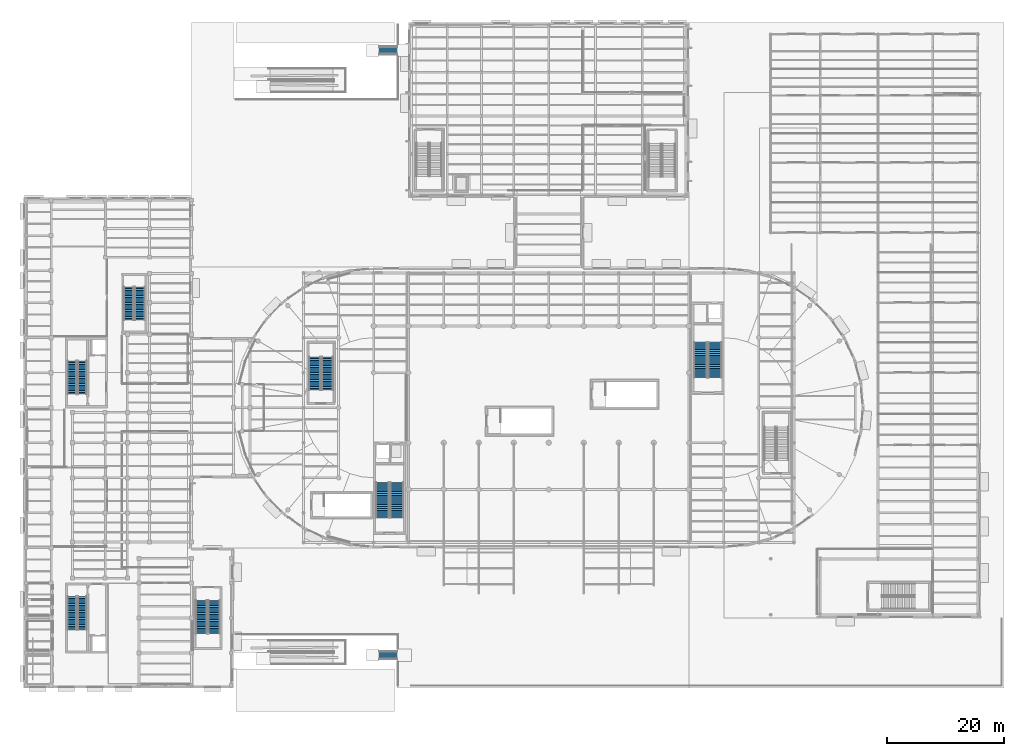
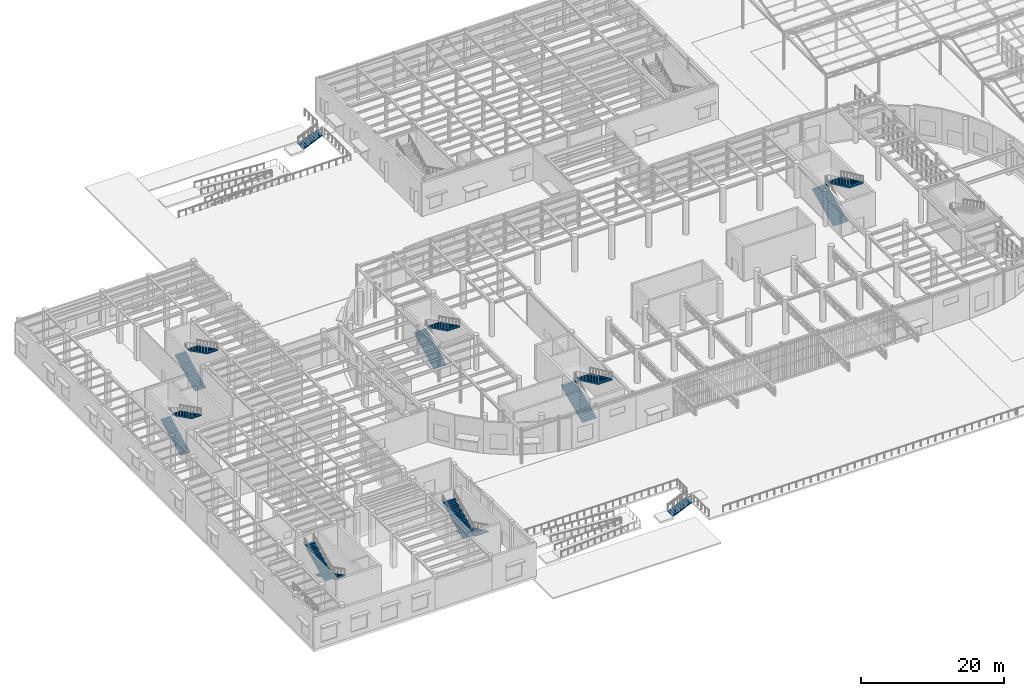
# One storey, part 97 of 118: 16 stair flights, 9 elements without a shape of their own.
"""IFC4 building model written with IfcOpenShell, lengths in metres."""

from ifc_helpers import new_model, si_unit, direction, frame, origin, place, context, subcontext, project, spatial, polyline, outline, extrude, material, type_object, element, aggregate, save


model = new_model("IFC4")

# Units and contexts
model_context = context("Model", 3, precision=1e-05, world=origin(), true_north=direction((0.0, 1.0)))
body_context = subcontext(model_context, "Body", "Model", "MODEL_VIEW")
ifc_project = project(units=[si_unit("LENGTHUNIT", "METRE"), si_unit("AREAUNIT", "SQUARE_METRE"), si_unit("VOLUMEUNIT", "CUBIC_METRE"), si_unit("PLANEANGLEUNIT", "RADIAN"), si_unit("MASSUNIT", "GRAM", prefix="KILO")], contexts=[model_context])

# Site, building, storey
site_placement = place(None, origin())
site = spatial("IfcSite", under=ifc_project, at=site_placement, CompositionType="ELEMENT")
building_placement = place(site_placement, origin())
building = spatial("IfcBuilding", under=site, at=building_placement, Name="Kolvaren Corner Interchange", CompositionType="ELEMENT")
storey_placement = place(building_placement, origin())
storey = spatial("IfcBuildingStorey", under=building, at=storey_placement, Name="L01", CompositionType="ELEMENT", Elevation=0.0)

# Stair, stair flight
ifc_material_1 = material(Name="Concrete C35/45", Category="concrete")
stair_type_1 = type_object("IfcStairType", Name="ST-CIV-1500", PredefinedType="STRAIGHT_RUN_STAIR", material=ifc_material_1)
stair_1_placement = place(storey_placement, origin())
stair_1 = element("IfcStair", 1, at=stair_1_placement, inside=storey, type_object=stair_type_1, Name="Southwest Forecourt Civic Plinth Steps", PredefinedType="STRAIGHT_RUN_STAIR")
ifc_material_2 = material(Name="Concrete C35/45", Category="concrete")
stair_flight_type_1 = type_object("IfcStairFlightType", Name="SFT-CIV-1500", PredefinedType="STRAIGHT", material=ifc_material_2)
stair_flight_1_placement = place(storey_placement, frame((60.93994140625, 5.60009765625, -1.5), z_axis=(0.0, 0.0, 1.0), x_axis=(1.0, 0.0, 0.0)))
stair_flight_1 = element("IfcStairFlight", 2, at=stair_flight_1_placement, type_object=stair_flight_type_1, Name="Southwest Forecourt Civic Plinth Steps Flight", NumberOfRisers=10, NumberOfTreads=9, PredefinedType="STRAIGHT", RiserHeight=0.15, TreadLength=0.34, context=body_context, shape_type="SweptSolid", body=[
    extrude(outline(polyline([(0.0, 0.0), (0.0, 0.14990234375), (0.340087890625, 0.14990234375), (0.340087890625, 0.300048828125), (0.679931640625, 0.300048828125), (0.679931640625, 0.449951171875), (1.02001953125, 0.449951171875), (1.02001953125, 0.60009765625), (1.360107421875, 0.60009765625), (1.360107421875, 0.75), (1.699951171875, 0.75), (1.699951171875, 0.89990234375), (2.0400390625, 0.89990234375), (2.0400390625, 1.050048828125), (2.3798828125, 1.050048828125), (2.3798828125, 1.199951171875), (2.719970703125, 1.199951171875), (2.719970703125, 1.35009765625), (3.06005859375, 1.35009765625), (3.06005859375, 1.5), (3.06005859375, 1.262451171875), (0.198486328125, 0.0), (0.0, 0.0)])), frame((0.0, 0.75, 0.0), z_axis=(0.0, -1.0, 0.0), x_axis=(1.0, 0.0, 0.0)), (0.0, 0.0, 1.0), 1.5),
])
aggregate(stair_1, [stair_flight_1])

stair_2_placement = place(storey_placement, origin())
stair_2 = element("IfcStair", 3, at=stair_2_placement, inside=storey, type_object=stair_type_1, Name="Northwest Cycle Hub Civic Plinth Steps", PredefinedType="STRAIGHT_RUN_STAIR")
stair_flight_2_placement = place(storey_placement, frame((60.93994140625, 109.199951171875, -1.5), z_axis=(0.0, 0.0, 1.0), x_axis=(1.0, 0.0, 0.0)))
stair_flight_2 = element("IfcStairFlight", 4, at=stair_flight_2_placement, type_object=stair_flight_type_1, Name="Northwest Cycle Hub Civic Plinth Steps Flight", NumberOfRisers=10, NumberOfTreads=9, PredefinedType="STRAIGHT", RiserHeight=0.15, TreadLength=0.34, context=body_context, shape_type="SweptSolid", body=[
    extrude(outline(polyline([(0.0, 0.0), (0.0, 0.14990234375), (0.340087890625, 0.14990234375), (0.340087890625, 0.300048828125), (0.679931640625, 0.300048828125), (0.679931640625, 0.449951171875), (1.02001953125, 0.449951171875), (1.02001953125, 0.60009765625), (1.360107421875, 0.60009765625), (1.360107421875, 0.75), (1.699951171875, 0.75), (1.699951171875, 0.89990234375), (2.0400390625, 0.89990234375), (2.0400390625, 1.050048828125), (2.3798828125, 1.050048828125), (2.3798828125, 1.199951171875), (2.719970703125, 1.199951171875), (2.719970703125, 1.35009765625), (3.06005859375, 1.35009765625), (3.06005859375, 1.5), (3.06005859375, 1.262451171875), (0.198486328125, 0.0), (0.0, 0.0)])), frame((0.0, 0.75, 0.0), z_axis=(0.0, -1.0, 0.0), x_axis=(1.0, 0.0, 0.0)), (0.0, 0.0, 1.0), 1.5),
])
aggregate(stair_2, [stair_flight_2])

# Stair, stair flights
ifc_material_3 = material(Name="Concrete C35/45", Category="concrete")
stair_type_2 = type_object("IfcStairType", Name="ST-FF-1550", PredefinedType="HALF_TURN_STAIR", material=ifc_material_3)
stair_3_placement = place(storey_placement, origin())
stair_3 = element("IfcStair", 5, at=stair_3_placement, inside=storey, type_object=stair_type_2, Name="Core C1 Southwest Firefighting Stair L01 to L02 Stair", PredefinedType="HALF_TURN_STAIR")
ifc_material_4 = material(Name="Concrete C35/45", Category="concrete")
stair_flight_type_2 = type_object("IfcStairFlightType", Name="SFT-FF-1550", PredefinedType="STRAIGHT", material=ifc_material_4)
stair_flight_3_placement = place(storey_placement, frame((10.074951171875, 15.64990234375, 0.0), z_axis=(0.0, 0.0, 1.0), x_axis=(0.0, -1.0, 0.0)))
stair_flight_3 = element("IfcStairFlight", 6, at=stair_flight_3_placement, type_object=stair_flight_type_2, Name="Core C1 Southwest Firefighting Stair L01 Lower Flight", NumberOfRisers=20, NumberOfTreads=19, PredefinedType="STRAIGHT", RiserHeight=0.15, TreadLength=0.3, context=body_context, shape_type="SweptSolid", body=[
    extrude(outline(polyline([(0.0, 0.0), (0.0, 0.14990234375), (0.300048828125, 0.14990234375), (0.300048828125, 0.300048828125), (0.60009765625, 0.300048828125), (0.60009765625, 0.449951171875), (0.89990234375, 0.449951171875), (0.89990234375, 0.60009765625), (1.199951171875, 0.60009765625), (1.199951171875, 0.75), (1.5, 0.75), (1.5, 0.89990234375), (1.800048828125, 0.89990234375), (1.800048828125, 1.050048828125), (2.10009765625, 1.050048828125), (2.10009765625, 1.199951171875), (2.39990234375, 1.199951171875), (2.39990234375, 1.35009765625), (2.699951171875, 1.35009765625), (2.699951171875, 1.5), (3.0, 1.5), (3.0, 1.64990234375), (3.300048828125, 1.64990234375), (3.300048828125, 1.800048828125), (3.60009765625, 1.800048828125), (3.60009765625, 1.949951171875), (3.89990234375, 1.949951171875), (3.89990234375, 2.10009765625), (4.199951171875, 2.10009765625), (4.199951171875, 2.25), (4.5, 2.25), (4.5, 2.39990234375), (4.800048828125, 2.39990234375), (4.800048828125, 2.550048828125), (5.10009765625, 2.550048828125), (5.10009765625, 2.699951171875), (5.39990234375, 2.699951171875), (5.39990234375, 2.85009765625), (5.699951171875, 2.85009765625), (5.699951171875, 3.0), (5.699951171875, 2.671142578125), (0.357666015625, 0.0), (0.0, 0.0)])), frame((0.0, 0.77490234375, 0.0), z_axis=(0.0, -1.0, 0.0), x_axis=(1.0, 0.0, 0.0)), (0.0, 0.0, 1.0), 1.550048828125),
])
stair_flight_4_placement = place(storey_placement, frame((8.324951171875, 9.949951171875, 3.0), z_axis=(0.0, 0.0, 1.0), x_axis=(0.0, 1.0, 0.0)))
stair_flight_4 = element("IfcStairFlight", 7, at=stair_flight_4_placement, type_object=stair_flight_type_2, Name="Core C1 Southwest Firefighting Stair L01 Upper Flight", NumberOfRisers=20, NumberOfTreads=19, PredefinedType="STRAIGHT", RiserHeight=0.15, TreadLength=0.3, context=body_context, shape_type="SweptSolid", body=[
    extrude(outline(polyline([(0.0, 0.0), (0.0, 0.14990234375), (0.300048828125, 0.14990234375), (0.300048828125, 0.300048828125), (0.60009765625, 0.300048828125), (0.60009765625, 0.449951171875), (0.89990234375, 0.449951171875), (0.89990234375, 0.60009765625), (1.199951171875, 0.60009765625), (1.199951171875, 0.75), (1.5, 0.75), (1.5, 0.89990234375), (1.800048828125, 0.89990234375), (1.800048828125, 1.050048828125), (2.10009765625, 1.050048828125), (2.10009765625, 1.199951171875), (2.39990234375, 1.199951171875), (2.39990234375, 1.35009765625), (2.699951171875, 1.35009765625), (2.699951171875, 1.5), (3.0, 1.5), (3.0, 1.64990234375), (3.300048828125, 1.64990234375), (3.300048828125, 1.800048828125), (3.60009765625, 1.800048828125), (3.60009765625, 1.949951171875), (3.89990234375, 1.949951171875), (3.89990234375, 2.10009765625), (4.199951171875, 2.10009765625), (4.199951171875, 2.25), (4.5, 2.25), (4.5, 2.39990234375), (4.800048828125, 2.39990234375), (4.800048828125, 2.550048828125), (5.10009765625, 2.550048828125), (5.10009765625, 2.699951171875), (5.39990234375, 2.699951171875), (5.39990234375, 2.85009765625), (5.699951171875, 2.85009765625), (5.699951171875, 3.0), (5.699951171875, 2.671142578125), (0.357666015625, 0.0), (0.0, 0.0)])), frame((0.0, 0.77490234375, 0.0), z_axis=(0.0, -1.0, 0.0), x_axis=(1.0, 0.0, 0.0)), (0.0, 0.0, 1.0), 1.550048828125),
])
aggregate(stair_3, [stair_flight_3, stair_flight_4])

stair_4_placement = place(storey_placement, origin())
stair_4 = element("IfcStair", 8, at=stair_4_placement, inside=storey, type_object=stair_type_2, Name="Core C2 Northwest Firefighting Stair L01 to L02 Stair", PredefinedType="HALF_TURN_STAIR")
stair_flight_5_placement = place(storey_placement, frame((8.324951171875, 50.35009765625, 0.0), z_axis=(0.0, 0.0, 1.0), x_axis=(0.0, 1.0, 0.0)))
stair_flight_5 = element("IfcStairFlight", 9, at=stair_flight_5_placement, type_object=stair_flight_type_2, Name="Core C2 Northwest Firefighting Stair L01 Lower Flight", NumberOfRisers=20, NumberOfTreads=19, PredefinedType="STRAIGHT", RiserHeight=0.15, TreadLength=0.3, context=body_context, shape_type="SweptSolid", body=[
    extrude(outline(polyline([(0.0, 0.0), (0.0, 0.14990234375), (0.300048828125, 0.14990234375), (0.300048828125, 0.300048828125), (0.60009765625, 0.300048828125), (0.60009765625, 0.449951171875), (0.89990234375, 0.449951171875), (0.89990234375, 0.60009765625), (1.199951171875, 0.60009765625), (1.199951171875, 0.75), (1.5, 0.75), (1.5, 0.89990234375), (1.800048828125, 0.89990234375), (1.800048828125, 1.050048828125), (2.10009765625, 1.050048828125), (2.10009765625, 1.199951171875), (2.39990234375, 1.199951171875), (2.39990234375, 1.35009765625), (2.699951171875, 1.35009765625), (2.699951171875, 1.5), (3.0, 1.5), (3.0, 1.64990234375), (3.300048828125, 1.64990234375), (3.300048828125, 1.800048828125), (3.60009765625, 1.800048828125), (3.60009765625, 1.949951171875), (3.89990234375, 1.949951171875), (3.89990234375, 2.10009765625), (4.199951171875, 2.10009765625), (4.199951171875, 2.25), (4.5, 2.25), (4.5, 2.39990234375), (4.800048828125, 2.39990234375), (4.800048828125, 2.550048828125), (5.10009765625, 2.550048828125), (5.10009765625, 2.699951171875), (5.39990234375, 2.699951171875), (5.39990234375, 2.85009765625), (5.699951171875, 2.85009765625), (5.699951171875, 3.0), (5.699951171875, 2.671142578125), (0.357666015625, 0.0), (0.0, 0.0)])), frame((0.0, 0.77490234375, 0.0), z_axis=(0.0, -1.0, 0.0), x_axis=(1.0, 0.0, 0.0)), (0.0, 0.0, 1.0), 1.550048828125),
])
stair_flight_6_placement = place(storey_placement, frame((10.074951171875, 56.050048828125, 3.0), z_axis=(0.0, 0.0, 1.0), x_axis=(0.0, -1.0, 0.0)))
stair_flight_6 = element("IfcStairFlight", 10, at=stair_flight_6_placement, type_object=stair_flight_type_2, Name="Core C2 Northwest Firefighting Stair L01 Upper Flight", NumberOfRisers=20, NumberOfTreads=19, PredefinedType="STRAIGHT", RiserHeight=0.15, TreadLength=0.3, context=body_context, shape_type="SweptSolid", body=[
    extrude(outline(polyline([(0.0, 0.0), (0.0, 0.14990234375), (0.300048828125, 0.14990234375), (0.300048828125, 0.300048828125), (0.60009765625, 0.300048828125), (0.60009765625, 0.449951171875), (0.89990234375, 0.449951171875), (0.89990234375, 0.60009765625), (1.199951171875, 0.60009765625), (1.199951171875, 0.75), (1.5, 0.75), (1.5, 0.89990234375), (1.800048828125, 0.89990234375), (1.800048828125, 1.050048828125), (2.10009765625, 1.050048828125), (2.10009765625, 1.199951171875), (2.39990234375, 1.199951171875), (2.39990234375, 1.35009765625), (2.699951171875, 1.35009765625), (2.699951171875, 1.5), (3.0, 1.5), (3.0, 1.64990234375), (3.300048828125, 1.64990234375), (3.300048828125, 1.800048828125), (3.60009765625, 1.800048828125), (3.60009765625, 1.949951171875), (3.89990234375, 1.949951171875), (3.89990234375, 2.10009765625), (4.199951171875, 2.10009765625), (4.199951171875, 2.25), (4.5, 2.25), (4.5, 2.39990234375), (4.800048828125, 2.39990234375), (4.800048828125, 2.550048828125), (5.10009765625, 2.550048828125), (5.10009765625, 2.699951171875), (5.39990234375, 2.699951171875), (5.39990234375, 2.85009765625), (5.699951171875, 2.85009765625), (5.699951171875, 3.0), (5.699951171875, 2.671142578125), (0.357666015625, 0.0), (0.0, 0.0)])), frame((0.0, 0.77490234375, 0.0), z_axis=(0.0, -1.0, 0.0), x_axis=(1.0, 0.0, 0.0)), (0.0, 0.0, 1.0), 1.550048828125),
])
aggregate(stair_4, [stair_flight_5, stair_flight_6])

ifc_material_5 = material(Name="Concrete C35/45", Category="concrete")
stair_type_3 = type_object("IfcStairType", Name="ST-GL-2000", PredefinedType="HALF_TURN_STAIR", material=ifc_material_5)
stair_5_placement = place(storey_placement, origin())
stair_5 = element("IfcStair", 11, at=stair_5_placement, inside=storey, type_object=stair_type_3, Name="West Racetrack Concourse Gallery Stair L01 to L02 Stair", PredefinedType="HALF_TURN_STAIR")
ifc_material_6 = material(Name="Concrete C35/45", Category="concrete")
stair_flight_type_3 = type_object("IfcStairFlightType", Name="SFT-GL-2000", PredefinedType="STRAIGHT", material=ifc_material_6)
stair_flight_7_placement = place(storey_placement, frame((49.89990234375, 51.0, 0.0), z_axis=(0.0, 0.0, 1.0), x_axis=(0.0, 1.0, 0.0)))
stair_flight_7 = element("IfcStairFlight", 12, at=stair_flight_7_placement, type_object=stair_flight_type_3, Name="West Racetrack Concourse Gallery Stair L01 Lower Flight", NumberOfRisers=20, NumberOfTreads=19, PredefinedType="STRAIGHT", RiserHeight=0.15, TreadLength=0.3, context=body_context, shape_type="SweptSolid", body=[
    extrude(outline(polyline([(0.0, 0.0), (0.0, 0.14990234375), (0.300048828125, 0.14990234375), (0.300048828125, 0.300048828125), (0.60009765625, 0.300048828125), (0.60009765625, 0.449951171875), (0.89990234375, 0.449951171875), (0.89990234375, 0.60009765625), (1.199951171875, 0.60009765625), (1.199951171875, 0.75), (1.5, 0.75), (1.5, 0.89990234375), (1.800048828125, 0.89990234375), (1.800048828125, 1.050048828125), (2.10009765625, 1.050048828125), (2.10009765625, 1.199951171875), (2.39990234375, 1.199951171875), (2.39990234375, 1.35009765625), (2.699951171875, 1.35009765625), (2.699951171875, 1.5), (3.0, 1.5), (3.0, 1.64990234375), (3.300048828125, 1.64990234375), (3.300048828125, 1.800048828125), (3.60009765625, 1.800048828125), (3.60009765625, 1.949951171875), (3.89990234375, 1.949951171875), (3.89990234375, 2.10009765625), (4.199951171875, 2.10009765625), (4.199951171875, 2.25), (4.5, 2.25), (4.5, 2.39990234375), (4.800048828125, 2.39990234375), (4.800048828125, 2.550048828125), (5.10009765625, 2.550048828125), (5.10009765625, 2.699951171875), (5.39990234375, 2.699951171875), (5.39990234375, 2.85009765625), (5.699951171875, 2.85009765625), (5.699951171875, 3.0), (5.699951171875, 2.659912109375), (0.3798828125, 0.0), (0.0, 0.0)])), frame((0.0, 1.0, 0.0), z_axis=(0.0, -1.0, 0.0), x_axis=(1.0, 0.0, 0.0)), (0.0, 0.0, 1.0), 2.0),
])
stair_flight_8_placement = place(storey_placement, frame((52.10009765625, 56.699951171875, 3.0), z_axis=(0.0, 0.0, 1.0), x_axis=(0.0, -1.0, 0.0)))
stair_flight_8 = element("IfcStairFlight", 13, at=stair_flight_8_placement, type_object=stair_flight_type_3, Name="West Racetrack Concourse Gallery Stair L01 Upper Flight", NumberOfRisers=20, NumberOfTreads=19, PredefinedType="STRAIGHT", RiserHeight=0.15, TreadLength=0.3, context=body_context, shape_type="SweptSolid", body=[
    extrude(outline(polyline([(0.0, 0.0), (0.0, 0.14990234375), (0.300048828125, 0.14990234375), (0.300048828125, 0.300048828125), (0.60009765625, 0.300048828125), (0.60009765625, 0.449951171875), (0.89990234375, 0.449951171875), (0.89990234375, 0.60009765625), (1.199951171875, 0.60009765625), (1.199951171875, 0.75), (1.5, 0.75), (1.5, 0.89990234375), (1.800048828125, 0.89990234375), (1.800048828125, 1.050048828125), (2.10009765625, 1.050048828125), (2.10009765625, 1.199951171875), (2.39990234375, 1.199951171875), (2.39990234375, 1.35009765625), (2.699951171875, 1.35009765625), (2.699951171875, 1.5), (3.0, 1.5), (3.0, 1.64990234375), (3.300048828125, 1.64990234375), (3.300048828125, 1.800048828125), (3.60009765625, 1.800048828125), (3.60009765625, 1.949951171875), (3.89990234375, 1.949951171875), (3.89990234375, 2.10009765625), (4.199951171875, 2.10009765625), (4.199951171875, 2.25), (4.5, 2.25), (4.5, 2.39990234375), (4.800048828125, 2.39990234375), (4.800048828125, 2.550048828125), (5.10009765625, 2.550048828125), (5.10009765625, 2.699951171875), (5.39990234375, 2.699951171875), (5.39990234375, 2.85009765625), (5.699951171875, 2.85009765625), (5.699951171875, 3.0), (5.699951171875, 2.659912109375), (0.3798828125, 0.0), (0.0, 0.0)])), frame((0.0, 1.0, 0.0), z_axis=(0.0, -1.0, 0.0), x_axis=(1.0, 0.0, 0.0)), (0.0, 0.0, 1.0), 2.0),
])
aggregate(stair_5, [stair_flight_7, stair_flight_8])

stair_6_placement = place(storey_placement, origin())
stair_6 = element("IfcStair", 14, at=stair_6_placement, inside=storey, type_object=stair_type_3, Name="Operations South Bar Protected Exit Stair L01 to L02 Stair", PredefinedType="HALF_TURN_STAIR")
stair_flight_9_placement = place(storey_placement, frame((32.699951171875, 15.0, 0.0), z_axis=(0.0, 0.0, 1.0), x_axis=(0.0, -1.0, 0.0)))
stair_flight_9 = element("IfcStairFlight", 15, at=stair_flight_9_placement, type_object=stair_flight_type_3, Name="Operations South Bar Protected Exit Stair L01 Lower Flight", NumberOfRisers=20, NumberOfTreads=19, PredefinedType="STRAIGHT", RiserHeight=0.15, TreadLength=0.3, context=body_context, shape_type="SweptSolid", body=[
    extrude(outline(polyline([(0.0, 0.0), (0.0, 0.14990234375), (0.300048828125, 0.14990234375), (0.300048828125, 0.300048828125), (0.60009765625, 0.300048828125), (0.60009765625, 0.449951171875), (0.89990234375, 0.449951171875), (0.89990234375, 0.60009765625), (1.199951171875, 0.60009765625), (1.199951171875, 0.75), (1.5, 0.75), (1.5, 0.89990234375), (1.800048828125, 0.89990234375), (1.800048828125, 1.050048828125), (2.10009765625, 1.050048828125), (2.10009765625, 1.199951171875), (2.39990234375, 1.199951171875), (2.39990234375, 1.35009765625), (2.699951171875, 1.35009765625), (2.699951171875, 1.5), (3.0, 1.5), (3.0, 1.64990234375), (3.300048828125, 1.64990234375), (3.300048828125, 1.800048828125), (3.60009765625, 1.800048828125), (3.60009765625, 1.949951171875), (3.89990234375, 1.949951171875), (3.89990234375, 2.10009765625), (4.199951171875, 2.10009765625), (4.199951171875, 2.25), (4.5, 2.25), (4.5, 2.39990234375), (4.800048828125, 2.39990234375), (4.800048828125, 2.550048828125), (5.10009765625, 2.550048828125), (5.10009765625, 2.699951171875), (5.39990234375, 2.699951171875), (5.39990234375, 2.85009765625), (5.699951171875, 2.85009765625), (5.699951171875, 3.0), (5.699951171875, 2.659912109375), (0.3798828125, 0.0), (0.0, 0.0)])), frame((0.0, 1.0, 0.0), z_axis=(0.0, -1.0, 0.0), x_axis=(1.0, 0.0, 0.0)), (0.0, 0.0, 1.0), 2.0),
])
stair_flight_10_placement = place(storey_placement, frame((30.5, 9.300048828125, 3.0), z_axis=(0.0, 0.0, 1.0), x_axis=(0.0, 1.0, 0.0)))
stair_flight_10 = element("IfcStairFlight", 16, at=stair_flight_10_placement, type_object=stair_flight_type_3, Name="Operations South Bar Protected Exit Stair L01 Upper Flight", NumberOfRisers=20, NumberOfTreads=19, PredefinedType="STRAIGHT", RiserHeight=0.15, TreadLength=0.3, context=body_context, shape_type="SweptSolid", body=[
    extrude(outline(polyline([(0.0, 0.0), (0.0, 0.14990234375), (0.300048828125, 0.14990234375), (0.300048828125, 0.300048828125), (0.60009765625, 0.300048828125), (0.60009765625, 0.449951171875), (0.89990234375, 0.449951171875), (0.89990234375, 0.60009765625), (1.199951171875, 0.60009765625), (1.199951171875, 0.75), (1.5, 0.75), (1.5, 0.89990234375), (1.800048828125, 0.89990234375), (1.800048828125, 1.050048828125), (2.10009765625, 1.050048828125), (2.10009765625, 1.199951171875), (2.39990234375, 1.199951171875), (2.39990234375, 1.35009765625), (2.699951171875, 1.35009765625), (2.699951171875, 1.5), (3.0, 1.5), (3.0, 1.64990234375), (3.300048828125, 1.64990234375), (3.300048828125, 1.800048828125), (3.60009765625, 1.800048828125), (3.60009765625, 1.949951171875), (3.89990234375, 1.949951171875), (3.89990234375, 2.10009765625), (4.199951171875, 2.10009765625), (4.199951171875, 2.25), (4.5, 2.25), (4.5, 2.39990234375), (4.800048828125, 2.39990234375), (4.800048828125, 2.550048828125), (5.10009765625, 2.550048828125), (5.10009765625, 2.699951171875), (5.39990234375, 2.699951171875), (5.39990234375, 2.85009765625), (5.699951171875, 2.85009765625), (5.699951171875, 3.0), (5.699951171875, 2.659912109375), (0.3798828125, 0.0), (0.0, 0.0)])), frame((0.0, 1.0, 0.0), z_axis=(0.0, -1.0, 0.0), x_axis=(1.0, 0.0, 0.0)), (0.0, 0.0, 1.0), 2.0),
])
aggregate(stair_6, [stair_flight_9, stair_flight_10])

ifc_material_7 = material(Name="Concrete C35/45", Category="concrete")
stair_type_4 = type_object("IfcStairType", Name="ST-OP-1750", PredefinedType="HALF_TURN_STAIR", material=ifc_material_7)
stair_7_placement = place(storey_placement, origin())
stair_7 = element("IfcStair", 17, at=stair_7_placement, inside=storey, type_object=stair_type_4, Name="Operations North Wing Protected Exit Stair L01 to L02 Stair", PredefinedType="HALF_TURN_STAIR")
ifc_material_8 = material(Name="Concrete C35/45", Category="concrete")
stair_flight_type_4 = type_object("IfcStairFlightType", Name="SFT-OP-1750", PredefinedType="STRAIGHT", material=ifc_material_8)
stair_flight_11_placement = place(storey_placement, frame((18.02490234375, 63.0, 0.0), z_axis=(0.0, 0.0, 1.0), x_axis=(0.0, 1.0, 0.0)))
stair_flight_11 = element("IfcStairFlight", 18, at=stair_flight_11_placement, type_object=stair_flight_type_4, Name="Operations North Wing Protected Exit Stair L01 Lower Flight", NumberOfRisers=20, NumberOfTreads=19, PredefinedType="STRAIGHT", RiserHeight=0.15, TreadLength=0.3, context=body_context, shape_type="SweptSolid", body=[
    extrude(outline(polyline([(0.0, 0.0), (0.0, 0.14990234375), (0.300048828125, 0.14990234375), (0.300048828125, 0.300048828125), (0.60009765625, 0.300048828125), (0.60009765625, 0.449951171875), (0.89990234375, 0.449951171875), (0.89990234375, 0.60009765625), (1.199951171875, 0.60009765625), (1.199951171875, 0.75), (1.5, 0.75), (1.5, 0.89990234375), (1.800048828125, 0.89990234375), (1.800048828125, 1.050048828125), (2.10009765625, 1.050048828125), (2.10009765625, 1.199951171875), (2.39990234375, 1.199951171875), (2.39990234375, 1.35009765625), (2.699951171875, 1.35009765625), (2.699951171875, 1.5), (3.0, 1.5), (3.0, 1.64990234375), (3.300048828125, 1.64990234375), (3.300048828125, 1.800048828125), (3.60009765625, 1.800048828125), (3.60009765625, 1.949951171875), (3.89990234375, 1.949951171875), (3.89990234375, 2.10009765625), (4.199951171875, 2.10009765625), (4.199951171875, 2.25), (4.5, 2.25), (4.5, 2.39990234375), (4.800048828125, 2.39990234375), (4.800048828125, 2.550048828125), (5.10009765625, 2.550048828125), (5.10009765625, 2.699951171875), (5.39990234375, 2.699951171875), (5.39990234375, 2.85009765625), (5.699951171875, 2.85009765625), (5.699951171875, 3.0), (5.699951171875, 2.671142578125), (0.357666015625, 0.0), (0.0, 0.0)])), frame((0.0, 0.875, 0.0), z_axis=(0.0, -1.0, 0.0), x_axis=(1.0, 0.0, 0.0)), (0.0, 0.0, 1.0), 1.75),
])
stair_flight_12_placement = place(storey_placement, frame((19.97509765625, 68.699951171875, 3.0), z_axis=(0.0, 0.0, 1.0), x_axis=(0.0, -1.0, 0.0)))
stair_flight_12 = element("IfcStairFlight", 19, at=stair_flight_12_placement, type_object=stair_flight_type_4, Name="Operations North Wing Protected Exit Stair L01 Upper Flight", NumberOfRisers=20, NumberOfTreads=19, PredefinedType="STRAIGHT", RiserHeight=0.15, TreadLength=0.3, context=body_context, shape_type="SweptSolid", body=[
    extrude(outline(polyline([(0.0, 0.0), (0.0, 0.14990234375), (0.300048828125, 0.14990234375), (0.300048828125, 0.300048828125), (0.60009765625, 0.300048828125), (0.60009765625, 0.449951171875), (0.89990234375, 0.449951171875), (0.89990234375, 0.60009765625), (1.199951171875, 0.60009765625), (1.199951171875, 0.75), (1.5, 0.75), (1.5, 0.89990234375), (1.800048828125, 0.89990234375), (1.800048828125, 1.050048828125), (2.10009765625, 1.050048828125), (2.10009765625, 1.199951171875), (2.39990234375, 1.199951171875), (2.39990234375, 1.35009765625), (2.699951171875, 1.35009765625), (2.699951171875, 1.5), (3.0, 1.5), (3.0, 1.64990234375), (3.300048828125, 1.64990234375), (3.300048828125, 1.800048828125), (3.60009765625, 1.800048828125), (3.60009765625, 1.949951171875), (3.89990234375, 1.949951171875), (3.89990234375, 2.10009765625), (4.199951171875, 2.10009765625), (4.199951171875, 2.25), (4.5, 2.25), (4.5, 2.39990234375), (4.800048828125, 2.39990234375), (4.800048828125, 2.550048828125), (5.10009765625, 2.550048828125), (5.10009765625, 2.699951171875), (5.39990234375, 2.699951171875), (5.39990234375, 2.85009765625), (5.699951171875, 2.85009765625), (5.699951171875, 3.0), (5.699951171875, 2.671142578125), (0.357666015625, 0.0), (0.0, 0.0)])), frame((0.0, 0.875, 0.0), z_axis=(0.0, -1.0, 0.0), x_axis=(1.0, 0.0, 0.0)), (0.0, 0.0, 1.0), 1.75),
])
aggregate(stair_7, [stair_flight_11, stair_flight_12])

ifc_material_9 = material(Name="Concrete C35/45", Category="concrete")
stair_type_5 = type_object("IfcStairType", Name="ST-TR-2300", PredefinedType="HALF_TURN_STAIR", material=ifc_material_9)
stair_8_placement = place(storey_placement, origin())
stair_8 = element("IfcStair", 20, at=stair_8_placement, inside=storey, type_object=stair_type_5, Name="Core C3 West Concourse Transfer Stair L01 to L02 Stair", PredefinedType="HALF_TURN_STAIR")
ifc_material_10 = material(Name="Concrete C35/45", Category="concrete")
stair_flight_type_5 = type_object("IfcStairFlightType", Name="SFT-TR-2300", PredefinedType="STRAIGHT", material=ifc_material_10)
stair_flight_13_placement = place(storey_placement, frame((61.5, 29.14990234375, 0.0), z_axis=(0.0, 0.0, 1.0), x_axis=(0.0, 1.0, 0.0)))
stair_flight_13 = element("IfcStairFlight", 21, at=stair_flight_13_placement, type_object=stair_flight_type_5, Name="Core C3 West Concourse Transfer Stair L01 Lower Flight", NumberOfRisers=20, NumberOfTreads=19, PredefinedType="STRAIGHT", RiserHeight=0.15, TreadLength=0.32, context=body_context, shape_type="SweptSolid", body=[
    extrude(outline(polyline([(0.0, 0.0), (0.0, 0.14990234375), (0.320068359375, 0.14990234375), (0.320068359375, 0.300048828125), (0.639892578125, 0.300048828125), (0.639892578125, 0.449951171875), (0.9599609375, 0.449951171875), (0.9599609375, 0.60009765625), (1.280029296875, 0.60009765625), (1.280029296875, 0.75), (1.60009765625, 0.75), (1.60009765625, 0.89990234375), (1.919921875, 0.89990234375), (1.919921875, 1.050048828125), (2.239990234375, 1.050048828125), (2.239990234375, 1.199951171875), (2.56005859375, 1.199951171875), (2.56005859375, 1.35009765625), (2.8798828125, 1.35009765625), (2.8798828125, 1.5), (3.199951171875, 1.5), (3.199951171875, 1.64990234375), (3.52001953125, 1.64990234375), (3.52001953125, 1.800048828125), (3.840087890625, 1.800048828125), (3.840087890625, 1.949951171875), (4.159912109375, 1.949951171875), (4.159912109375, 2.10009765625), (4.47998046875, 2.10009765625), (4.47998046875, 2.25), (4.800048828125, 2.25), (4.800048828125, 2.39990234375), (5.1201171875, 2.39990234375), (5.1201171875, 2.550048828125), (5.43994140625, 2.550048828125), (5.43994140625, 2.699951171875), (5.760009765625, 2.699951171875), (5.760009765625, 2.85009765625), (6.080078125, 2.85009765625), (6.080078125, 3.0), (6.080078125, 2.64013671875), (0.447509765625, 0.0), (0.0, 0.0)])), frame((0.0, 1.14990234375, 0.0), z_axis=(0.0, -1.0, 0.0), x_axis=(1.0, 0.0, 0.0)), (0.0, 0.0, 1.0), 2.300048828125),
])
stair_flight_14_placement = place(storey_placement, frame((64.0, 35.22998046875, 3.0), z_axis=(0.0, 0.0, 1.0), x_axis=(0.0, -1.0, 0.0)))
stair_flight_14 = element("IfcStairFlight", 22, at=stair_flight_14_placement, type_object=stair_flight_type_5, Name="Core C3 West Concourse Transfer Stair L01 Upper Flight", NumberOfRisers=20, NumberOfTreads=19, PredefinedType="STRAIGHT", RiserHeight=0.15, TreadLength=0.32, context=body_context, shape_type="SweptSolid", body=[
    extrude(outline(polyline([(0.0, 0.0), (0.0, 0.14990234375), (0.320068359375, 0.14990234375), (0.320068359375, 0.300048828125), (0.639892578125, 0.300048828125), (0.639892578125, 0.449951171875), (0.9599609375, 0.449951171875), (0.9599609375, 0.60009765625), (1.280029296875, 0.60009765625), (1.280029296875, 0.75), (1.60009765625, 0.75), (1.60009765625, 0.89990234375), (1.919921875, 0.89990234375), (1.919921875, 1.050048828125), (2.239990234375, 1.050048828125), (2.239990234375, 1.199951171875), (2.56005859375, 1.199951171875), (2.56005859375, 1.35009765625), (2.8798828125, 1.35009765625), (2.8798828125, 1.5), (3.199951171875, 1.5), (3.199951171875, 1.64990234375), (3.52001953125, 1.64990234375), (3.52001953125, 1.800048828125), (3.840087890625, 1.800048828125), (3.840087890625, 1.949951171875), (4.159912109375, 1.949951171875), (4.159912109375, 2.10009765625), (4.47998046875, 2.10009765625), (4.47998046875, 2.25), (4.800048828125, 2.25), (4.800048828125, 2.39990234375), (5.1201171875, 2.39990234375), (5.1201171875, 2.550048828125), (5.43994140625, 2.550048828125), (5.43994140625, 2.699951171875), (5.760009765625, 2.699951171875), (5.760009765625, 2.85009765625), (6.080078125, 2.85009765625), (6.080078125, 3.0), (6.080078125, 2.64013671875), (0.447509765625, 0.0), (0.0, 0.0)])), frame((0.0, 1.14990234375, 0.0), z_axis=(0.0, -1.0, 0.0), x_axis=(1.0, 0.0, 0.0)), (0.0, 0.0, 1.0), 2.300048828125),
])
aggregate(stair_8, [stair_flight_13, stair_flight_14])

stair_9_placement = place(storey_placement, origin())
stair_9 = element("IfcStair", 23, at=stair_9_placement, inside=storey, type_object=stair_type_5, Name="Core C4 East Concourse Transfer Stair L01 to L02 Stair", PredefinedType="HALF_TURN_STAIR")
stair_flight_15_placement = place(storey_placement, frame((116.0, 53.14990234375, 0.0), z_axis=(0.0, 0.0, 1.0), x_axis=(0.0, 1.0, 0.0)))
stair_flight_15 = element("IfcStairFlight", 24, at=stair_flight_15_placement, type_object=stair_flight_type_5, Name="Core C4 East Concourse Transfer Stair L01 Lower Flight", NumberOfRisers=20, NumberOfTreads=19, PredefinedType="STRAIGHT", RiserHeight=0.15, TreadLength=0.32, context=body_context, shape_type="SweptSolid", body=[
    extrude(outline(polyline([(0.0, 0.0), (0.0, 0.14990234375), (0.320068359375, 0.14990234375), (0.320068359375, 0.300048828125), (0.639892578125, 0.300048828125), (0.639892578125, 0.449951171875), (0.9599609375, 0.449951171875), (0.9599609375, 0.60009765625), (1.280029296875, 0.60009765625), (1.280029296875, 0.75), (1.60009765625, 0.75), (1.60009765625, 0.89990234375), (1.919921875, 0.89990234375), (1.919921875, 1.050048828125), (2.239990234375, 1.050048828125), (2.239990234375, 1.199951171875), (2.56005859375, 1.199951171875), (2.56005859375, 1.35009765625), (2.8798828125, 1.35009765625), (2.8798828125, 1.5), (3.199951171875, 1.5), (3.199951171875, 1.64990234375), (3.52001953125, 1.64990234375), (3.52001953125, 1.800048828125), (3.840087890625, 1.800048828125), (3.840087890625, 1.949951171875), (4.159912109375, 1.949951171875), (4.159912109375, 2.10009765625), (4.47998046875, 2.10009765625), (4.47998046875, 2.25), (4.800048828125, 2.25), (4.800048828125, 2.39990234375), (5.1201171875, 2.39990234375), (5.1201171875, 2.550048828125), (5.43994140625, 2.550048828125), (5.43994140625, 2.699951171875), (5.760009765625, 2.699951171875), (5.760009765625, 2.85009765625), (6.080078125, 2.85009765625), (6.080078125, 3.0), (6.080078125, 2.64013671875), (0.447509765625, 0.0), (0.0, 0.0)])), frame((0.0, 1.14990234375, 0.0), z_axis=(0.0, -1.0, 0.0), x_axis=(1.0, 0.0, 0.0)), (0.0, 0.0, 1.0), 2.300048828125),
])
stair_flight_16_placement = place(storey_placement, frame((118.5, 59.22998046875, 3.0), z_axis=(0.0, 0.0, 1.0), x_axis=(0.0, -1.0, 0.0)))
stair_flight_16 = element("IfcStairFlight", 25, at=stair_flight_16_placement, type_object=stair_flight_type_5, Name="Core C4 East Concourse Transfer Stair L01 Upper Flight", NumberOfRisers=20, NumberOfTreads=19, PredefinedType="STRAIGHT", RiserHeight=0.15, TreadLength=0.32, context=body_context, shape_type="SweptSolid", body=[
    extrude(outline(polyline([(0.0, 0.0), (0.0, 0.14990234375), (0.320068359375, 0.14990234375), (0.320068359375, 0.300048828125), (0.639892578125, 0.300048828125), (0.639892578125, 0.449951171875), (0.9599609375, 0.449951171875), (0.9599609375, 0.60009765625), (1.280029296875, 0.60009765625), (1.280029296875, 0.75), (1.60009765625, 0.75), (1.60009765625, 0.89990234375), (1.919921875, 0.89990234375), (1.919921875, 1.050048828125), (2.239990234375, 1.050048828125), (2.239990234375, 1.199951171875), (2.56005859375, 1.199951171875), (2.56005859375, 1.35009765625), (2.8798828125, 1.35009765625), (2.8798828125, 1.5), (3.199951171875, 1.5), (3.199951171875, 1.64990234375), (3.52001953125, 1.64990234375), (3.52001953125, 1.800048828125), (3.840087890625, 1.800048828125), (3.840087890625, 1.949951171875), (4.159912109375, 1.949951171875), (4.159912109375, 2.10009765625), (4.47998046875, 2.10009765625), (4.47998046875, 2.25), (4.800048828125, 2.25), (4.800048828125, 2.39990234375), (5.1201171875, 2.39990234375), (5.1201171875, 2.550048828125), (5.43994140625, 2.550048828125), (5.43994140625, 2.699951171875), (5.760009765625, 2.699951171875), (5.760009765625, 2.85009765625), (6.080078125, 2.85009765625), (6.080078125, 3.0), (6.080078125, 2.64013671875), (0.447509765625, 0.0), (0.0, 0.0)])), frame((0.0, 1.14990234375, 0.0), z_axis=(0.0, -1.0, 0.0), x_axis=(1.0, 0.0, 0.0)), (0.0, 0.0, 1.0), 2.300048828125),
])
aggregate(stair_9, [stair_flight_15, stair_flight_16])

save(model, "model.ifc")
